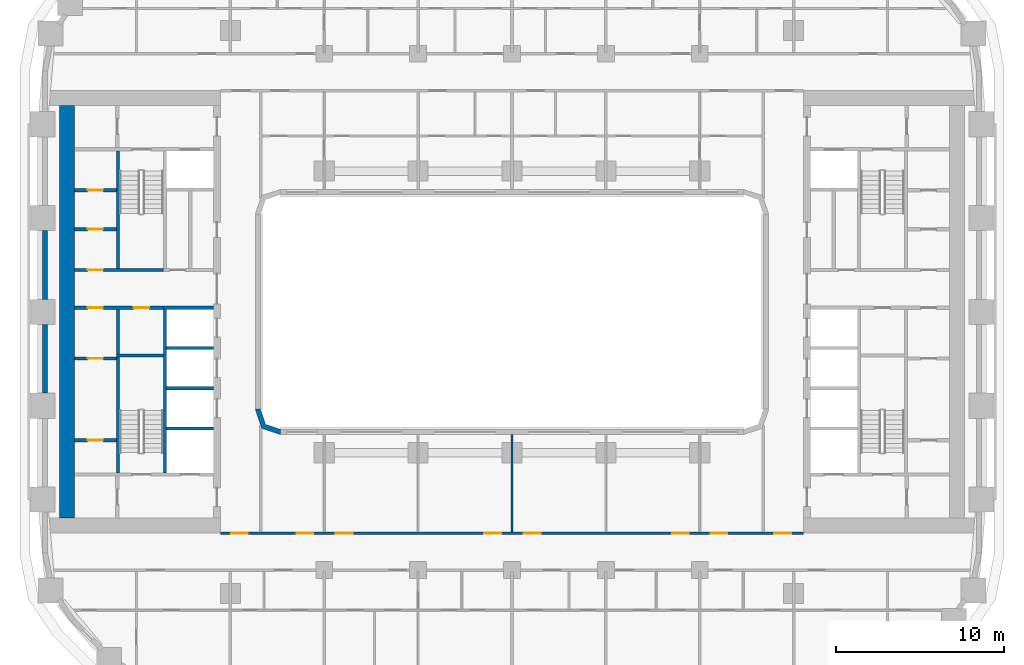
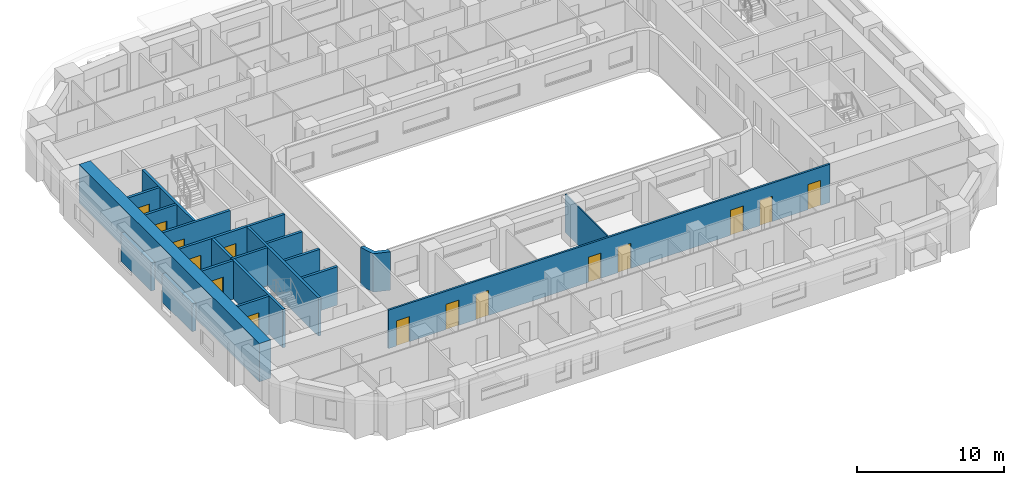
# One storey, part 4 of 22: 21 walls, 15 doors, 15 openings.
"""IFC4 building model written with IfcOpenShell, lengths in metres."""

from ifc_helpers import new_model, si_unit, direction, frame, frame_2d, origin, place, context, subcontext, project, spatial, polyline, rectangle, outline, extrude, material, layer, layer_set, type_object, element, fill, save


model = new_model("IFC4")

# Units and contexts
model_context = context("Model", 3, precision=1e-05, world=origin(), true_north=direction((0.0, 1.0)))
body_context = subcontext(model_context, "Body", "Model", "MODEL_VIEW")
ifc_project = project(units=[si_unit("LENGTHUNIT", "METRE"), si_unit("AREAUNIT", "SQUARE_METRE"), si_unit("VOLUMEUNIT", "CUBIC_METRE"), si_unit("PLANEANGLEUNIT", "RADIAN"), si_unit("MASSUNIT", "GRAM", prefix="KILO")], contexts=[model_context])

# Site, building, storey
site_placement = place(None, origin())
site = spatial("IfcSite", under=ifc_project, at=site_placement, CompositionType="ELEMENT")
building_placement = place(site_placement, origin())
building = spatial("IfcBuilding", under=site, at=building_placement, Name="Kiln Ring Residences", CompositionType="ELEMENT")
storey_placement = place(building_placement, frame((0.0, 0.0, 44.5)))
storey = spatial("IfcBuildingStorey", under=building, at=storey_placement, Name="L10", CompositionType="ELEMENT", Elevation=44.5)

# Wall
ifc_material_1 = material(Name="Gypsum board on steel studs", Category="steel")
ifc_layer_1 = layer(ifc_material_1, 0.199951171875)
ifc_layer_set_1 = layer_set([ifc_layer_1], Name="CORE-PARTITION-200")
wall_type_1 = type_object("IfcWallType", Name="CORE-PARTITION-200", PredefinedType="PARTITIONING", material=ifc_layer_set_1)
wall_1_placement = place(storey_placement, frame((-23.5, -2.5, 0.0), z_axis=(0.0, 0.0, 1.0), x_axis=(0.0, 1.0, 0.0)))
element("IfcWall", 1, at=wall_1_placement, inside=storey, type_object=wall_type_1, Name="Core partition west L10 1", PredefinedType="PARTITIONING", context=body_context, shape_type="SweptSolid", body=[
    extrude(rectangle(XDim=2.64990234375, YDim=0.199951171875, at=frame_2d((1.324951171875, 0.0))), origin(), (0.0, 0.0, 1.0), 3.199951171875),
])

# Wall, openings, doors
wall_2_placement = place(storey_placement, frame((-20.800048828125, 0.25, 0.0), z_axis=(0.0, 0.0, 1.0), x_axis=(-1.0, 0.0, 0.0)))
wall_2 = element("IfcWall", 2, at=wall_2_placement, inside=storey, type_object=wall_type_1, Name="Core partition west L10 2", PredefinedType="PARTITIONING", context=body_context, shape_type="SweptSolid", body=[
    extrude(rectangle(XDim=5.300048828125, YDim=0.199951171875, at=frame_2d((2.64990234375, 0.0))), origin(), (0.0, 0.0, 1.0), 3.199951171875),
])
opening_1_placement = place(wall_2_placement, frame((0.85009765625, 0.0, 0.0)))
opening_1 = element("IfcOpeningElement", 3, at=opening_1_placement, cuts=wall_2, Name="Opening L10-CW15", PredefinedType="OPENING", context=body_context, shape_type="SweptSolid", body=[
    extrude(rectangle(XDim=0.89990234375, YDim=2.10009765625, at=frame_2d((0.449951171875, 1.050048828125))), frame((0.0, 0.10986328125, 0.0), z_axis=(0.0, -1.0, 0.0), x_axis=(1.0, 0.0, 0.0)), (0.0, 0.0, 1.0), 0.219970703125),
])
opening_2_placement = place(wall_2_placement, frame((3.60009765625, 0.0, 0.0)))
opening_2 = element("IfcOpeningElement", 4, at=opening_2_placement, cuts=wall_2, Name="Opening L10-CW18", PredefinedType="OPENING", context=body_context, shape_type="SweptSolid", body=[
    extrude(rectangle(XDim=0.89990234375, YDim=2.10009765625, at=frame_2d((0.449951171875, 1.050048828125))), frame((0.0, 0.10986328125, 0.0), z_axis=(0.0, -1.0, 0.0), x_axis=(1.0, 0.0, 0.0)), (0.0, 0.0, 1.0), 0.219970703125),
])
ifc_material_2 = material(Name="Steel door leaf", Category="steel")
door_type_1 = type_object("IfcDoorType", Name="CORE-DOOR-ROOM", OperationType="SINGLE_SWING_LEFT", PredefinedType="DOOR", material=ifc_material_2)
door_1_placement = place(opening_1_placement, origin())
door_1 = element("IfcDoor", 5, at=door_1_placement, inside=storey, type_object=door_type_1, Name="Cleaner's store L10-CW15", OperationType="SINGLE_SWING_LEFT", OverallHeight=2.10009765625, OverallWidth=0.89990234375, PredefinedType="DOOR", context=body_context, shape_type="SweptSolid", body=[
    extrude(rectangle(XDim=0.89990234375, YDim=2.10009765625, at=frame_2d((0.449951171875, 1.050048828125))), frame((0.0, 0.02490234375, 0.0), z_axis=(0.0, -1.0, 0.0), x_axis=(1.0, 0.0, 0.0)), (0.0, 0.0, 1.0), 0.050048828125),
])
fill(opening_1, door_1)
door_2_placement = place(opening_2_placement, origin())
door_2 = element("IfcDoor", 6, at=door_2_placement, inside=storey, type_object=door_type_1, Name="Battery room L10-CW18", OperationType="SINGLE_SWING_RIGHT", OverallHeight=2.10009765625, OverallWidth=0.89990234375, PredefinedType="DOOR", context=body_context, shape_type="SweptSolid", body=[
    extrude(rectangle(XDim=0.89990234375, YDim=2.10009765625, at=frame_2d((0.449951171875, 1.050048828125))), frame((0.0, 0.02490234375, 0.0), z_axis=(0.0, -1.0, 0.0), x_axis=(1.0, 0.0, 0.0)), (0.0, 0.0, 1.0), 0.050048828125),
])
fill(opening_2, door_2)

# Wall, opening, door
wall_3_placement = place(storey_placement, frame((-23.60009765625, -7.64990234375, 0.0), z_axis=(0.0, 0.0, 1.0), x_axis=(-1.0, 0.0, 0.0)))
wall_3 = element("IfcWall", 7, at=wall_3_placement, inside=storey, type_object=wall_type_1, Name="Core partition west L10 6", PredefinedType="PARTITIONING", context=body_context, shape_type="SweptSolid", body=[
    extrude(rectangle(XDim=2.5, YDim=0.199951171875, at=frame_2d((1.25, 0.0))), origin(), (0.0, 0.0, 1.0), 3.199951171875),
])
opening_3_placement = place(wall_3_placement, frame((0.800048828125, 0.0, 0.0)))
opening_3 = element("IfcOpeningElement", 8, at=opening_3_placement, cuts=wall_3, Name="Opening L10-CW16", PredefinedType="OPENING", context=body_context, shape_type="SweptSolid", body=[
    extrude(rectangle(XDim=0.89990234375, YDim=2.10009765625, at=frame_2d((0.449951171875, 1.050048828125))), frame((0.0, 0.10986328125, 0.0), z_axis=(0.0, -1.0, 0.0), x_axis=(1.0, 0.0, 0.0)), (0.0, 0.0, 1.0), 0.219970703125),
])
door_3_placement = place(opening_3_placement, origin())
door_3 = element("IfcDoor", 9, at=door_3_placement, inside=storey, type_object=door_type_1, Name="Plant room L10-CW16", OperationType="SINGLE_SWING_LEFT", OverallHeight=2.10009765625, OverallWidth=0.89990234375, PredefinedType="DOOR", context=body_context, shape_type="SweptSolid", body=[
    extrude(rectangle(XDim=0.89990234375, YDim=2.10009765625, at=frame_2d((0.449951171875, 1.050048828125))), frame((0.0, 0.02490234375, 0.0), z_axis=(0.0, -1.0, 0.0), x_axis=(1.0, 0.0, 0.0)), (0.0, 0.0, 1.0), 0.050048828125),
])
fill(opening_3, door_3)

wall_4_placement = place(storey_placement, frame((-23.60009765625, -2.77490234375, 0.0), z_axis=(0.0, 0.0, 1.0), x_axis=(-1.0, 0.0, 0.0)))
wall_4 = element("IfcWall", 10, at=wall_4_placement, inside=storey, type_object=wall_type_1, Name="Core partition west L10 7", PredefinedType="PARTITIONING", context=body_context, shape_type="SweptSolid", body=[
    extrude(rectangle(XDim=2.5, YDim=0.199951171875, at=frame_2d((1.25, 0.0))), origin(), (0.0, 0.0, 1.0), 3.199951171875),
])
opening_4_placement = place(wall_4_placement, frame((0.800048828125, 0.0, 0.0)))
opening_4 = element("IfcOpeningElement", 11, at=opening_4_placement, cuts=wall_4, Name="Opening L10-CW17", PredefinedType="OPENING", context=body_context, shape_type="SweptSolid", body=[
    extrude(rectangle(XDim=0.89990234375, YDim=2.10009765625, at=frame_2d((0.449951171875, 1.050048828125))), frame((0.0, 0.10986328125, 0.0), z_axis=(0.0, -1.0, 0.0), x_axis=(1.0, 0.0, 0.0)), (0.0, 0.0, 1.0), 0.219970703125),
])
door_4_placement = place(opening_4_placement, origin())
door_4 = element("IfcDoor", 12, at=door_4_placement, inside=storey, type_object=door_type_1, Name="Battery room L10-CW17", OperationType="SINGLE_SWING_RIGHT", OverallHeight=2.10009765625, OverallWidth=0.89990234375, PredefinedType="DOOR", context=body_context, shape_type="SweptSolid", body=[
    extrude(rectangle(XDim=0.89990234375, YDim=2.10009765625, at=frame_2d((0.449951171875, 1.050048828125))), frame((0.0, 0.02490234375, 0.0), z_axis=(0.0, -1.0, 0.0), x_axis=(1.0, 0.0, 0.0)), (0.0, 0.0, 1.0), 0.050048828125),
])
fill(opening_4, door_4)

wall_5_placement = place(storey_placement, frame((-23.60009765625, 4.933349609375, 0.0), z_axis=(0.0, 0.0, 1.0), x_axis=(-1.0, 0.0, 0.0)))
wall_5 = element("IfcWall", 13, at=wall_5_placement, inside=storey, type_object=wall_type_1, Name="Core partition west L10 8", PredefinedType="PARTITIONING", context=body_context, shape_type="SweptSolid", body=[
    extrude(rectangle(XDim=2.5, YDim=0.199951171875, at=frame_2d((1.25, 0.0))), origin(), (0.0, 0.0, 1.0), 3.199951171875),
])
opening_5_placement = place(wall_5_placement, frame((0.800048828125, 0.0, 0.0)))
opening_5 = element("IfcOpeningElement", 14, at=opening_5_placement, cuts=wall_5, Name="Opening L10-CW19", PredefinedType="OPENING", context=body_context, shape_type="SweptSolid", body=[
    extrude(rectangle(XDim=0.89990234375, YDim=2.10009765625, at=frame_2d((0.449951171875, 1.050048828125))), frame((0.0, 0.10986328125, 0.0), z_axis=(0.0, -1.0, 0.0), x_axis=(1.0, 0.0, 0.0)), (0.0, 0.0, 1.0), 0.219970703125),
])
door_5_placement = place(opening_5_placement, origin())
door_5 = element("IfcDoor", 15, at=door_5_placement, inside=storey, type_object=door_type_1, Name="Electrical plant room L10-CW19", OperationType="SINGLE_SWING_RIGHT", OverallHeight=2.10009765625, OverallWidth=0.89990234375, PredefinedType="DOOR", context=body_context, shape_type="SweptSolid", body=[
    extrude(rectangle(XDim=0.89990234375, YDim=2.10009765625, at=frame_2d((0.449951171875, 1.050048828125))), frame((0.0, 0.02490234375, 0.0), z_axis=(0.0, -1.0, 0.0), x_axis=(1.0, 0.0, 0.0)), (0.0, 0.0, 1.0), 0.050048828125),
])
fill(opening_5, door_5)

wall_6_placement = place(storey_placement, frame((-23.60009765625, 7.2666015625, 0.0), z_axis=(0.0, 0.0, 1.0), x_axis=(-1.0, 0.0, 0.0)))
wall_6 = element("IfcWall", 16, at=wall_6_placement, inside=storey, type_object=wall_type_1, Name="Core partition west L10 9", PredefinedType="PARTITIONING", context=body_context, shape_type="SweptSolid", body=[
    extrude(rectangle(XDim=2.5, YDim=0.199951171875, at=frame_2d((1.25, 0.0))), origin(), (0.0, 0.0, 1.0), 3.199951171875),
])
opening_6_placement = place(wall_6_placement, frame((0.800048828125, 0.0, 0.0)))
opening_6 = element("IfcOpeningElement", 17, at=opening_6_placement, cuts=wall_6, Name="Opening L10-CW20", PredefinedType="OPENING", context=body_context, shape_type="SweptSolid", body=[
    extrude(rectangle(XDim=0.89990234375, YDim=2.10009765625, at=frame_2d((0.449951171875, 1.050048828125))), frame((0.0, 0.10986328125, 0.0), z_axis=(0.0, -1.0, 0.0), x_axis=(1.0, 0.0, 0.0)), (0.0, 0.0, 1.0), 0.219970703125),
])
door_6_placement = place(opening_6_placement, origin())
door_6 = element("IfcDoor", 18, at=door_6_placement, inside=storey, type_object=door_type_1, Name="Comms room L10-CW20", OperationType="SINGLE_SWING_LEFT", OverallHeight=2.10009765625, OverallWidth=0.89990234375, PredefinedType="DOOR", context=body_context, shape_type="SweptSolid", body=[
    extrude(rectangle(XDim=0.89990234375, YDim=2.10009765625, at=frame_2d((0.449951171875, 1.050048828125))), frame((0.0, 0.02490234375, 0.0), z_axis=(0.0, -1.0, 0.0), x_axis=(1.0, 0.0, 0.0)), (0.0, 0.0, 1.0), 0.050048828125),
])
fill(opening_6, door_6)

# Walls
ifc_material_3 = material(Name="Gypsum shaft wall system")
ifc_layer_2 = layer(ifc_material_3, 0.199951171875)
ifc_layer_set_2 = layer_set([ifc_layer_2], Name="CORE-SHAFT-WALL-200")
wall_type_2 = type_object("IfcWallType", Name="CORE-SHAFT-WALL-200", PredefinedType="PARTITIONING", material=ifc_layer_set_2)
for number, where, z_axis, x_axis, name in (
    (19, (-17.800048828125, -6.949951171875, 0.0), (0.0, 0.0, 1.0), (-1.0, 0.0, 0.0), "Core partition west L10 10"),
    (20, (-17.800048828125, -4.550048828125, 0.0), (0.0, 0.0, 1.0), (-1.0, 0.0, 0.0), "Core partition west L10 11"),
    (21, (-17.800048828125, -2.14990234375, 0.0), (0.0, 0.0, 1.0), (-1.0, 0.0, 0.0), "Core partition west L10 12"),
):
    element("IfcWall", number, at=place(storey_placement, frame(where, z_axis=z_axis, x_axis=x_axis)), inside=storey, type_object=wall_type_2, Name=name, PredefinedType="PARTITIONING", context=body_context, shape_type="SweptSolid", body=[
        extrude(rectangle(XDim=2.800048828125, YDim=0.199951171875, at=frame_2d((1.39990234375, 0.0))), origin(), (0.0, 0.0, 1.0), 3.199951171875),
    ])
wall_7_placement = place(storey_placement, frame((-17.800048828125, 0.25, 0.0), z_axis=(0.0, 0.0, 1.0), x_axis=(-1.0, 0.0, 0.0)))
element("IfcWall", 22, at=wall_7_placement, inside=storey, type_object=wall_type_2, Name="Core partition west L10 13", PredefinedType="PARTITIONING", context=body_context, shape_type="SweptSolid", body=[
    extrude(rectangle(XDim=3.0, YDim=0.199951171875, at=frame_2d((1.5, 0.0))), origin(), (0.0, 0.0, 1.0), 3.199951171875),
])
ifc_material_4 = material(Name="Concrete C40/50", Category="concrete")
ifc_layer_3 = layer(ifc_material_4, 0.199951171875)
ifc_layer_set_3 = layer_set([ifc_layer_3], Name="CORE-WALL-RC200")
wall_type_3 = type_object("IfcWallType", Name="CORE-WALL-RC200", PredefinedType="SHEAR", material=ifc_layer_set_3)
wall_8_placement = place(storey_placement, frame((-20.699951171875, -9.60009765625, 0.0), z_axis=(0.0, 0.0, 1.0), x_axis=(0.0, 1.0, 0.0)))
element("IfcWall", 23, at=wall_8_placement, inside=storey, type_object=wall_type_3, Name="Core wall west L10 2", PredefinedType="SHEAR", context=body_context, shape_type="SweptSolid", body=[
    extrude(rectangle(XDim=9.75, YDim=0.199951171875, at=frame_2d((4.875, 0.0))), origin(), (0.0, 0.0, 1.0), 3.199951171875),
])

# Wall, opening, door
wall_9_placement = place(storey_placement, frame((-20.800048828125, 2.5, 0.0), z_axis=(0.0, 0.0, 1.0), x_axis=(-1.0, 0.0, 0.0)))
wall_9 = element("IfcWall", 24, at=wall_9_placement, inside=storey, type_object=wall_type_3, Name="Core wall west L10 3", PredefinedType="SHEAR", context=body_context, shape_type="SweptSolid", body=[
    extrude(rectangle(XDim=5.300048828125, YDim=0.199951171875, at=frame_2d((2.64990234375, 0.0))), origin(), (0.0, 0.0, 1.0), 3.199951171875),
])
opening_7_placement = place(wall_9_placement, frame((3.60009765625, 0.0, 0.0)))
opening_7 = element("IfcOpeningElement", 25, at=opening_7_placement, cuts=wall_9, Name="Opening L10-CW21", PredefinedType="OPENING", context=body_context, shape_type="SweptSolid", body=[
    extrude(rectangle(XDim=0.89990234375, YDim=2.10009765625, at=frame_2d((0.449951171875, 1.050048828125))), frame((0.0, 0.10986328125, 0.0), z_axis=(0.0, -1.0, 0.0), x_axis=(1.0, 0.0, 0.0)), (0.0, 0.0, 1.0), 0.219970703125),
])
door_7_placement = place(opening_7_placement, origin())
door_7 = element("IfcDoor", 26, at=door_7_placement, inside=storey, type_object=door_type_1, Name="UPS room L10-CW21", OperationType="SINGLE_SWING_RIGHT", OverallHeight=2.10009765625, OverallWidth=0.89990234375, PredefinedType="DOOR", context=body_context, shape_type="SweptSolid", body=[
    extrude(rectangle(XDim=0.89990234375, YDim=2.10009765625, at=frame_2d((0.449951171875, 1.050048828125))), frame((0.0, 0.02490234375, 0.0), z_axis=(0.0, -1.0, 0.0), x_axis=(1.0, 0.0, 0.0)), (0.0, 0.0, 1.0), 0.050048828125),
])
fill(opening_7, door_7)

# Walls
wall_10_placement = place(storey_placement, frame((-23.5, 2.60009765625, 0.0), z_axis=(0.0, 0.0, 1.0), x_axis=(0.0, 1.0, 0.0)))
element("IfcWall", 27, at=wall_10_placement, inside=storey, type_object=wall_type_3, Name="Core wall west L10 10", PredefinedType="SHEAR", context=body_context, shape_type="SweptSolid", body=[
    extrude(rectangle(XDim=7.0, YDim=0.199951171875, at=frame_2d((3.5, 0.0))), origin(), (0.0, 0.0, 1.0), 3.199951171875),
])
wall_11_placement = place(storey_placement, frame((-23.5, -9.60009765625, 0.0), z_axis=(0.0, 0.0, 1.0), x_axis=(0.0, 1.0, 0.0)))
element("IfcWall", 28, at=wall_11_placement, inside=storey, type_object=wall_type_3, Name="Core wall west L10 11", PredefinedType="SHEAR", context=body_context, shape_type="SweptSolid", body=[
    extrude(rectangle(XDim=6.900146484375, YDim=0.199951171875, at=frame_2d((3.4501953125, 0.0))), origin(), (0.0, 0.0, 1.0), 3.199951171875),
])
wall_12_placement = place(storey_placement, frame((-20.800048828125, -2.60009765625, 0.0), z_axis=(0.0, 0.0, 1.0), x_axis=(-1.0, 0.0, 0.0)))
element("IfcWall", 29, at=wall_12_placement, inside=storey, type_object=wall_type_3, Name="Core wall west L10 12", PredefinedType="SHEAR", context=body_context, shape_type="SweptSolid", body=[
    extrude(rectangle(XDim=2.800048828125, YDim=0.199951171875, at=frame_2d((1.39990234375, 0.0))), origin(), (0.0, 0.0, 1.0), 3.199951171875),
])
ifc_material_5 = material(Name="Concrete C60/75", Category="concrete")
ifc_layer_4 = layer(ifc_material_5, 0.89990234375)
ifc_layer_set_4 = layer_set([ifc_layer_4], Name="CORE-WALL-RC900")
wall_type_4 = type_object("IfcWallType", Name="CORE-WALL-RC900", PredefinedType="SHEAR", material=ifc_layer_set_4)
wall_13_placement = place(storey_placement, frame((-26.550048828125, -12.300048828125, 0.0), z_axis=(0.0, 0.0, 1.0), x_axis=(0.0, 1.0, 0.0)))
element("IfcWall", 30, at=wall_13_placement, inside=storey, type_object=wall_type_4, Name="Core wall west L10 7", PredefinedType="SHEAR", context=body_context, shape_type="SweptSolid", body=[
    extrude(rectangle(XDim=24.60009765625, YDim=0.89990234375, at=frame_2d((12.300048828125, 0.0))), origin(), (0.0, 0.0, 1.0), 3.199951171875),
])
ifc_material_6 = material(Name="Brick masonry, dark clay brick", Category="masonry")
ifc_layer_5 = layer(ifc_material_6, 0.300048828125)
ifc_layer_set_5 = layer_set([ifc_layer_5], Name="EW-300 BRICK WALL")
wall_type_5 = type_object("IfcWallType", Name="EW-300 BRICK WALL", PredefinedType="SOLIDWALL", material=ifc_layer_set_5)
for number, where, z_axis, x_axis, name in (
    (31, (-27.85009765625, 4.85009765625, 0.0), (0.0, 0.0, 1.0), (0.0, -1.0, 0.0), "Facade wall L10 43"),
    (32, (-27.85009765625, -0.75, 0.0), (0.0, 0.0, 1.0), (0.0, -1.0, 0.0), "Facade wall L10 44"),
):
    element("IfcWall", number, at=place(storey_placement, frame(where, z_axis=z_axis, x_axis=x_axis)), inside=storey, type_object=wall_type_5, Name=name, PredefinedType="SOLIDWALL", context=body_context, shape_type="SweptSolid", body=[
        extrude(rectangle(XDim=4.10009765625, YDim=0.300048828125, at=frame_2d((2.050048828125, 0.0))), origin(), (0.0, 0.0, 1.0), 2.35009765625),
    ])
wall_14_placement = place(storey_placement, origin())
element("IfcWall", 33, at=wall_14_placement, inside=storey, type_object=wall_type_5, Name="Corner wall L10 4", PredefinedType="SOLIDWALL", context=body_context, shape_type="SweptSolid", body=[
    extrude(outline(polyline([(-14.937255859375, -6.937255859375), (-13.8486328125, -7.300048828125), (-13.800048828125, -7.300048828125), (-13.800048828125, -7.0), (-14.699951171875, -6.699951171875), (-15.0, -5.800048828125), (-15.300048828125, -5.800048828125), (-15.300048828125, -5.8486328125), (-14.937255859375, -6.937255859375)])), origin(), (0.0, 0.0, 1.0), 3.199951171875),
])
ifc_material_7 = material(Name="Gypsum board on steel studs", Category="steel")
ifc_layer_6 = layer(ifc_material_7, 0.10009765625)
ifc_layer_set_6 = layer_set([ifc_layer_6], Name="PARTITION-100")
wall_type_6 = type_object("IfcWallType", Name="PARTITION-100", PredefinedType="PARTITIONING", material=ifc_layer_set_6)
wall_15_placement = place(storey_placement, frame((0.0, -13.125, 0.0), z_axis=(0.0, 0.0, 1.0), x_axis=(0.0, 1.0, 0.0)))
element("IfcWall", 34, at=wall_15_placement, inside=storey, type_object=wall_type_6, Name="Partition 038", PredefinedType="PARTITIONING", context=body_context, shape_type="SweptSolid", body=[
    extrude(rectangle(XDim=5.804931640625, YDim=0.10009765625, at=frame_2d((2.90234375, 0.0))), origin(), (0.0, 0.0, 1.0), 3.199951171875),
])

# Wall, openings, doors
ifc_material_8 = material(Name="Brick masonry partition", Category="masonry")
ifc_layer_7 = layer(ifc_material_8, 0.14990234375)
ifc_layer_set_7 = layer_set([ifc_layer_7], Name="PARTITION-150-ei60")
wall_type_7 = type_object("IfcWallType", Name="PARTITION-150-ei60", PredefinedType="PARTITIONING", material=ifc_layer_set_7)
wall_16_placement = place(storey_placement, frame((-17.39990234375, -13.199951171875, 0.0), z_axis=(0.0, 0.0, 1.0), x_axis=(1.0, 0.0, 0.0)))
wall_16 = element("IfcWall", 35, at=wall_16_placement, inside=storey, type_object=wall_type_7, Name="Partition 002", PredefinedType="PARTITIONING", context=body_context, shape_type="SweptSolid", body=[
    extrude(rectangle(XDim=34.7998046875, YDim=0.14990234375, at=frame_2d((17.39990234375, 0.0))), origin(), (0.0, 0.0, 1.0), 3.199951171875),
])
opening_8_placement = place(wall_16_placement, frame((0.64990234375, 0.0, 0.0)))
opening_8 = element("IfcOpeningElement", 36, at=opening_8_placement, cuts=wall_16, Name="Opening L10-D003", PredefinedType="OPENING", context=body_context, shape_type="SweptSolid", body=[
    extrude(rectangle(XDim=1.0, YDim=2.10009765625, at=frame_2d((0.5, 1.050048828125))), frame((0.0, 0.0849609375, 0.0), z_axis=(0.0, -1.0, 0.0), x_axis=(1.0, 0.0, 0.0)), (0.0, 0.0, 1.0), 0.169921875),
])
opening_9_placement = place(wall_16_placement, frame((33.050048828125, 0.0, 0.0)))
opening_9 = element("IfcOpeningElement", 37, at=opening_9_placement, cuts=wall_16, Name="Opening L10-D004", PredefinedType="OPENING", context=body_context, shape_type="SweptSolid", body=[
    extrude(rectangle(XDim=1.0, YDim=2.10009765625, at=frame_2d((0.5, 1.050048828125))), frame((0.0, 0.0849609375, 0.0), z_axis=(0.0, -1.0, 0.0), x_axis=(1.0, 0.0, 0.0)), (0.0, 0.0, 1.0), 0.169921875),
])
opening_10_placement = place(wall_16_placement, frame((4.550048828125, 0.0, 0.0)))
opening_10 = element("IfcOpeningElement", 38, at=opening_10_placement, cuts=wall_16, Name="Opening L10-D045", PredefinedType="OPENING", context=body_context, shape_type="SweptSolid", body=[
    extrude(rectangle(XDim=1.0, YDim=2.10009765625, at=frame_2d((0.5, 1.050048828125))), frame((0.0, 0.0849609375, 0.0), z_axis=(0.0, -1.0, 0.0), x_axis=(1.0, 0.0, 0.0)), (0.0, 0.0, 1.0), 0.169921875),
])
opening_11_placement = place(wall_16_placement, frame((6.89990234375, 0.0, 0.0)))
opening_11 = element("IfcOpeningElement", 39, at=opening_11_placement, cuts=wall_16, Name="Opening L10-D046", PredefinedType="OPENING", context=body_context, shape_type="SweptSolid", body=[
    extrude(rectangle(XDim=1.0, YDim=2.10009765625, at=frame_2d((0.5, 1.050048828125))), frame((0.0, 0.0849609375, 0.0), z_axis=(0.0, -1.0, 0.0), x_axis=(1.0, 0.0, 0.0)), (0.0, 0.0, 1.0), 0.169921875),
])
opening_12_placement = place(wall_16_placement, frame((15.75, 0.0, 0.0)))
opening_12 = element("IfcOpeningElement", 40, at=opening_12_placement, cuts=wall_16, Name="Opening L10-D047", PredefinedType="OPENING", context=body_context, shape_type="SweptSolid", body=[
    extrude(rectangle(XDim=1.0, YDim=2.10009765625, at=frame_2d((0.5, 1.050048828125))), frame((0.0, 0.0849609375, 0.0), z_axis=(0.0, -1.0, 0.0), x_axis=(1.0, 0.0, 0.0)), (0.0, 0.0, 1.0), 0.169921875),
])
opening_13_placement = place(wall_16_placement, frame((18.10009765625, 0.0, 0.0)))
opening_13 = element("IfcOpeningElement", 41, at=opening_13_placement, cuts=wall_16, Name="Opening L10-D048", PredefinedType="OPENING", context=body_context, shape_type="SweptSolid", body=[
    extrude(rectangle(XDim=1.0, YDim=2.10009765625, at=frame_2d((0.5, 1.050048828125))), frame((0.0, 0.0849609375, 0.0), z_axis=(0.0, -1.0, 0.0), x_axis=(1.0, 0.0, 0.0)), (0.0, 0.0, 1.0), 0.169921875),
])
opening_14_placement = place(wall_16_placement, frame((26.949951171875, 0.0, 0.0)))
opening_14 = element("IfcOpeningElement", 42, at=opening_14_placement, cuts=wall_16, Name="Opening L10-D049", PredefinedType="OPENING", context=body_context, shape_type="SweptSolid", body=[
    extrude(rectangle(XDim=1.0, YDim=2.10009765625, at=frame_2d((0.5, 1.050048828125))), frame((0.0, 0.0849609375, 0.0), z_axis=(0.0, -1.0, 0.0), x_axis=(1.0, 0.0, 0.0)), (0.0, 0.0, 1.0), 0.169921875),
])
opening_15_placement = place(wall_16_placement, frame((29.25, 0.0, 0.0)))
opening_15 = element("IfcOpeningElement", 43, at=opening_15_placement, cuts=wall_16, Name="Opening L10-D050", PredefinedType="OPENING", context=body_context, shape_type="SweptSolid", body=[
    extrude(rectangle(XDim=1.0, YDim=2.10009765625, at=frame_2d((0.5, 1.050048828125))), frame((0.0, 0.0849609375, 0.0), z_axis=(0.0, -1.0, 0.0), x_axis=(1.0, 0.0, 0.0)), (0.0, 0.0, 1.0), 0.169921875),
])
ifc_material_9 = material(Name="Steel faced fire door leaf", Category="steel")
door_type_2 = type_object("IfcDoorType", Name="FLAT-DOOR-1000-FR", OperationType="SINGLE_SWING_LEFT", PredefinedType="DOOR", material=ifc_material_9)
door_8_placement = place(opening_8_placement, origin())
door_8 = element("IfcDoor", 44, at=door_8_placement, inside=storey, type_object=door_type_2, Name="Door L10-D003", OperationType="SINGLE_SWING_RIGHT", OverallHeight=2.10009765625, OverallWidth=1.0, PredefinedType="DOOR", context=body_context, shape_type="SweptSolid", body=[
    extrude(rectangle(XDim=1.0, YDim=2.10009765625, at=frame_2d((0.5, 1.050048828125))), frame((0.0, 0.02490234375, 0.0), z_axis=(0.0, -1.0, 0.0), x_axis=(1.0, 0.0, 0.0)), (0.0, 0.0, 1.0), 0.050048828125),
])
fill(opening_8, door_8)
door_9_placement = place(opening_9_placement, origin())
door_9 = element("IfcDoor", 45, at=door_9_placement, inside=storey, type_object=door_type_2, Name="Door L10-D004", OperationType="SINGLE_SWING_LEFT", OverallHeight=2.10009765625, OverallWidth=1.0, PredefinedType="DOOR", context=body_context, shape_type="SweptSolid", body=[
    extrude(rectangle(XDim=1.0, YDim=2.10009765625, at=frame_2d((0.5, 1.050048828125))), frame((0.0, 0.02490234375, 0.0), z_axis=(0.0, -1.0, 0.0), x_axis=(1.0, 0.0, 0.0)), (0.0, 0.0, 1.0), 0.050048828125),
])
fill(opening_9, door_9)
door_10_placement = place(opening_10_placement, origin())
door_10 = element("IfcDoor", 46, at=door_10_placement, inside=storey, type_object=door_type_2, Name="Door L10-D045", OperationType="SINGLE_SWING_LEFT", OverallHeight=2.10009765625, OverallWidth=1.0, PredefinedType="DOOR", context=body_context, shape_type="SweptSolid", body=[
    extrude(rectangle(XDim=1.0, YDim=2.10009765625, at=frame_2d((0.5, 1.050048828125))), frame((0.0, 0.02490234375, 0.0), z_axis=(0.0, -1.0, 0.0), x_axis=(1.0, 0.0, 0.0)), (0.0, 0.0, 1.0), 0.050048828125),
])
fill(opening_10, door_10)
door_11_placement = place(opening_11_placement, origin())
door_11 = element("IfcDoor", 47, at=door_11_placement, inside=storey, type_object=door_type_2, Name="Door L10-D046", OperationType="SINGLE_SWING_RIGHT", OverallHeight=2.10009765625, OverallWidth=1.0, PredefinedType="DOOR", context=body_context, shape_type="SweptSolid", body=[
    extrude(rectangle(XDim=1.0, YDim=2.10009765625, at=frame_2d((0.5, 1.050048828125))), frame((0.0, 0.02490234375, 0.0), z_axis=(0.0, -1.0, 0.0), x_axis=(1.0, 0.0, 0.0)), (0.0, 0.0, 1.0), 0.050048828125),
])
fill(opening_11, door_11)
door_12_placement = place(opening_12_placement, origin())
door_12 = element("IfcDoor", 48, at=door_12_placement, inside=storey, type_object=door_type_2, Name="Door L10-D047", OperationType="SINGLE_SWING_LEFT", OverallHeight=2.10009765625, OverallWidth=1.0, PredefinedType="DOOR", context=body_context, shape_type="SweptSolid", body=[
    extrude(rectangle(XDim=1.0, YDim=2.10009765625, at=frame_2d((0.5, 1.050048828125))), frame((0.0, 0.02490234375, 0.0), z_axis=(0.0, -1.0, 0.0), x_axis=(1.0, 0.0, 0.0)), (0.0, 0.0, 1.0), 0.050048828125),
])
fill(opening_12, door_12)
door_13_placement = place(opening_13_placement, origin())
door_13 = element("IfcDoor", 49, at=door_13_placement, inside=storey, type_object=door_type_2, Name="Door L10-D048", OperationType="SINGLE_SWING_RIGHT", OverallHeight=2.10009765625, OverallWidth=1.0, PredefinedType="DOOR", context=body_context, shape_type="SweptSolid", body=[
    extrude(rectangle(XDim=1.0, YDim=2.10009765625, at=frame_2d((0.5, 1.050048828125))), frame((0.0, 0.02490234375, 0.0), z_axis=(0.0, -1.0, 0.0), x_axis=(1.0, 0.0, 0.0)), (0.0, 0.0, 1.0), 0.050048828125),
])
fill(opening_13, door_13)
door_14_placement = place(opening_14_placement, origin())
door_14 = element("IfcDoor", 50, at=door_14_placement, inside=storey, type_object=door_type_2, Name="Door L10-D049", OperationType="SINGLE_SWING_LEFT", OverallHeight=2.10009765625, OverallWidth=1.0, PredefinedType="DOOR", context=body_context, shape_type="SweptSolid", body=[
    extrude(rectangle(XDim=1.0, YDim=2.10009765625, at=frame_2d((0.5, 1.050048828125))), frame((0.0, 0.02490234375, 0.0), z_axis=(0.0, -1.0, 0.0), x_axis=(1.0, 0.0, 0.0)), (0.0, 0.0, 1.0), 0.050048828125),
])
fill(opening_14, door_14)
door_15_placement = place(opening_15_placement, origin())
door_15 = element("IfcDoor", 51, at=door_15_placement, inside=storey, type_object=door_type_2, Name="Door L10-D050", OperationType="SINGLE_SWING_RIGHT", OverallHeight=2.10009765625, OverallWidth=1.0, PredefinedType="DOOR", context=body_context, shape_type="SweptSolid", body=[
    extrude(rectangle(XDim=1.0, YDim=2.10009765625, at=frame_2d((0.5, 1.050048828125))), frame((0.0, 0.02490234375, 0.0), z_axis=(0.0, -1.0, 0.0), x_axis=(1.0, 0.0, 0.0)), (0.0, 0.0, 1.0), 0.050048828125),
])
fill(opening_15, door_15)

save(model, "model.ifc")
